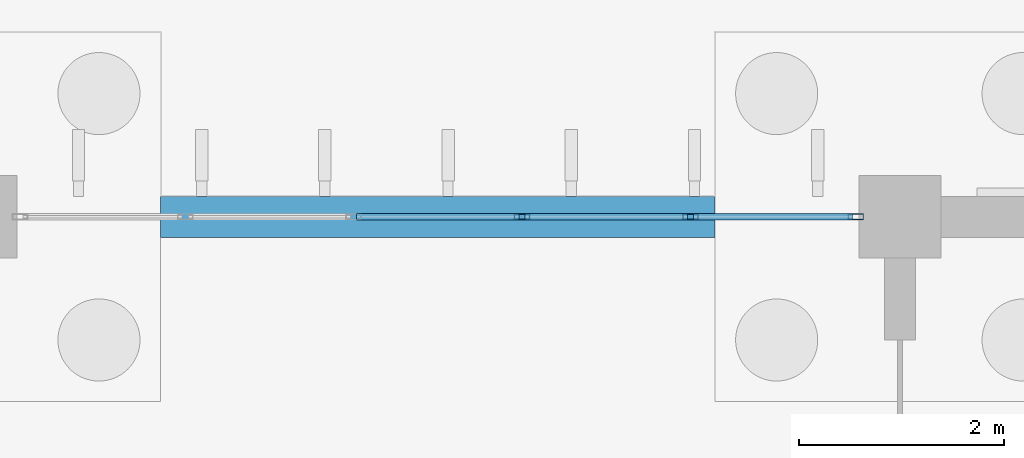
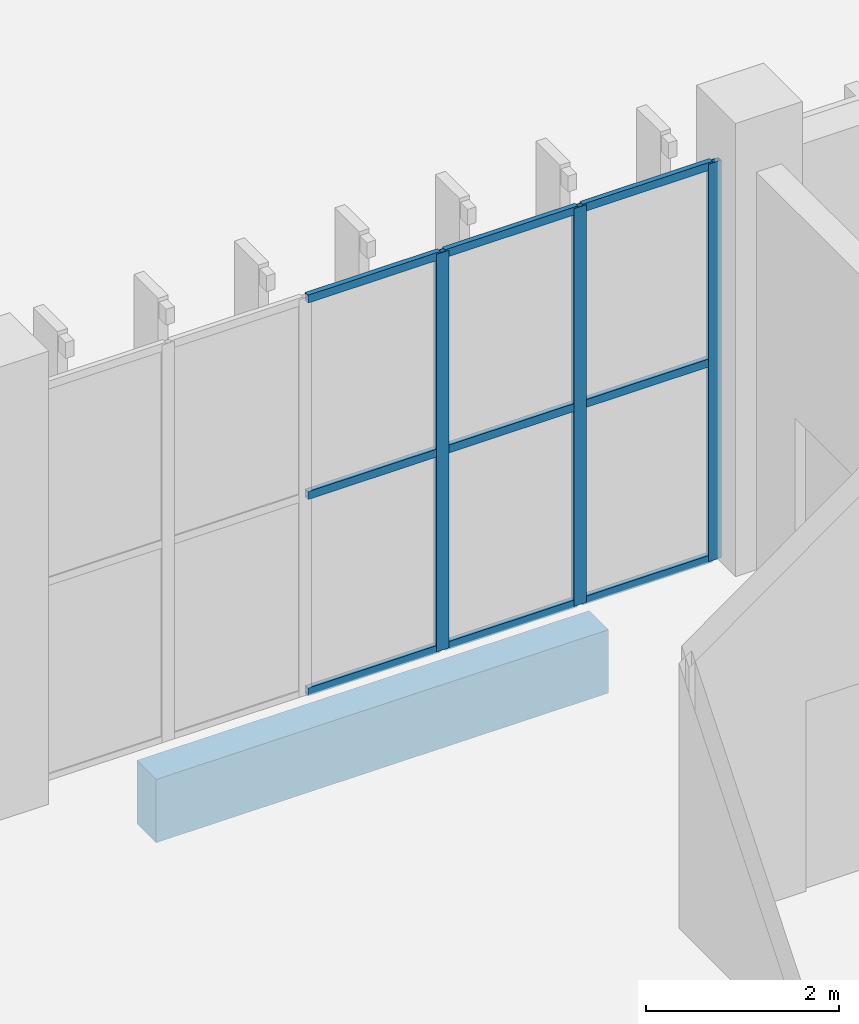
# One storey, part 56 of 198: 12 members, 1 beam, 1 element without a shape of its own.
"""IFC4 building model written with IfcOpenShell, lengths in metres."""

from ifc_helpers import new_model, si_unit, direction, frame, origin, origin_2d, place, context, subcontext, project, spatial, rectangle, hollow_rectangle, extrude, material, layer, layer_set, material_profile, profile_set, type_object, element, aggregate, save


model = new_model("IFC4")

# Units and contexts
model_context = context("Model", 3, precision=1e-05, world=origin(), true_north=direction((0.0, 1.0)))
body_context = subcontext(model_context, "Body", "Model", "MODEL_VIEW")
ifc_project = project(units=[si_unit("LENGTHUNIT", "METRE"), si_unit("AREAUNIT", "SQUARE_METRE"), si_unit("VOLUMEUNIT", "CUBIC_METRE"), si_unit("PLANEANGLEUNIT", "RADIAN"), si_unit("MASSUNIT", "GRAM", prefix="KILO")], contexts=[model_context])

# Site, building, storey
site_placement = place(None, origin())
site = spatial("IfcSite", under=ifc_project, at=site_placement, CompositionType="ELEMENT")
building_placement = place(site_placement, origin())
building = spatial("IfcBuilding", under=site, at=building_placement, Name="Opaline Strait Convention Centre", CompositionType="ELEMENT")
storey_placement = place(building_placement, origin())
storey = spatial("IfcBuildingStorey", under=building, at=storey_placement, Name="L00", CompositionType="ELEMENT", Elevation=0.0)

# Curtain wall, members
ifc_material_1 = material(Name="Aluminium 6063-T5", Category="aluminium")
ifc_layer = layer(ifc_material_1, 0.199951171875)
ifc_layer_set = layer_set([ifc_layer], Name="Aluminium 6063-T5")
curtain_wall_type = type_object("IfcCurtainWallType", Name="Unitised curtain wall 1640 module", PredefinedType="NOTDEFINED", material=ifc_layer_set)
curtain_wall_placement = place(storey_placement, origin())
curtain_wall = element("IfcCurtainWall", 1, at=curtain_wall_placement, inside=storey, type_object=curtain_wall_type, Name="Ballroom north curtain wall L00 bay 6", PredefinedType="NOTDEFINED")
ifc_material_2 = material(Name="Aluminium alloy 6063", Category="aluminium")
ifc_material_profile_1 = material_profile(ifc_material_2, hollow_rectangle(XDim=0.06005859375, YDim=0.14990234375, WallThickness=0.00390625, at=origin_2d()), Name="MULLION 60x150x4")
ifc_profile_set_1 = profile_set([ifc_material_profile_1], Name="Aluminium alloy 6063")
member_type_1 = type_object("IfcMemberType", Name="Curtain wall mullion 60 x 150", PredefinedType="MULLION", material=ifc_profile_set_1)
member_1_placement = place(storey_placement, frame((338.320068359375, 72.0, 0.0), z_axis=(0.0, 0.0, 1.0), x_axis=(0.0, 1.0, 0.0)))
member_1 = element("IfcMember", 2, at=member_1_placement, type_object=member_type_1, Name="BG2 mullion 4", PredefinedType="MULLION", context=body_context, shape_type="SweptSolid", body=[
    extrude(hollow_rectangle(XDim=0.06005859375, YDim=0.14990234375, WallThickness=0.00390625, at=origin_2d()), origin(), (0.0, 0.0, 1.0), 5.02001953125),
])
member_2_placement = place(storey_placement, frame((339.9599609375, 72.0, 0.0), z_axis=(0.0, 0.0, 1.0), x_axis=(0.0, 1.0, 0.0)))
member_2 = element("IfcMember", 3, at=member_2_placement, type_object=member_type_1, Name="BG2 mullion 5", PredefinedType="MULLION", context=body_context, shape_type="SweptSolid", body=[
    extrude(hollow_rectangle(XDim=0.06005859375, YDim=0.14990234375, WallThickness=0.00390625, at=origin_2d()), origin(), (0.0, 0.0, 1.0), 5.02001953125),
])
member_3_placement = place(storey_placement, frame((341.570068359375, 72.0, 0.0), z_axis=(0.0, 0.0, 1.0), x_axis=(0.0, 1.0, 0.0)))
member_3 = element("IfcMember", 4, at=member_3_placement, type_object=member_type_1, Name="BG2 mullion 6", PredefinedType="MULLION", context=body_context, shape_type="SweptSolid", body=[
    extrude(hollow_rectangle(XDim=0.06005859375, YDim=0.14990234375, WallThickness=0.00390625, at=origin_2d()), origin(), (0.0, 0.0, 1.0), 5.02001953125),
])
ifc_material_profile_2 = material_profile(ifc_material_2, hollow_rectangle(XDim=0.06005859375, YDim=0.10009765625, WallThickness=0.0029296875, at=origin_2d()), Name="TRANSOM 60x100x3")
ifc_profile_set_2 = profile_set([ifc_material_profile_2], Name="Aluminium alloy 6063")
member_type_2 = type_object("IfcMemberType", Name="Curtain wall transom 60 x 100", PredefinedType="USERDEFINED", material=ifc_profile_set_2)
member_4_placement = place(storey_placement, frame((336.7099609375, 72.0, 0.030029296875), z_axis=(1.0, 0.0, 0.0), x_axis=(0.0, 1.0, 0.0)))
member_4 = element("IfcMember", 5, at=member_4_placement, type_object=member_type_2, Name="BG2 transom 3.1", ObjectType="TRANSOM", PredefinedType="USERDEFINED", context=body_context, shape_type="SweptSolid", body=[
    extrude(hollow_rectangle(XDim=0.06005859375, YDim=0.10009765625, WallThickness=0.0029296875, at=origin_2d()), origin(), (0.0, 0.0, 1.0), 1.580078125),
])
member_5_placement = place(storey_placement, frame((336.7099609375, 72.0, 2.510009765625), z_axis=(1.0, 0.0, 0.0), x_axis=(0.0, 1.0, 0.0)))
member_5 = element("IfcMember", 6, at=member_5_placement, type_object=member_type_2, Name="BG2 transom 3.2", ObjectType="TRANSOM", PredefinedType="USERDEFINED", context=body_context, shape_type="SweptSolid", body=[
    extrude(hollow_rectangle(XDim=0.06005859375, YDim=0.10009765625, WallThickness=0.0029296875, at=origin_2d()), origin(), (0.0, 0.0, 1.0), 1.580078125),
])
member_6_placement = place(storey_placement, frame((336.7099609375, 72.0, 4.989990234375), z_axis=(1.0, 0.0, 0.0), x_axis=(0.0, 1.0, 0.0)))
member_6 = element("IfcMember", 7, at=member_6_placement, type_object=member_type_2, Name="BG2 transom 3.3", ObjectType="TRANSOM", PredefinedType="USERDEFINED", context=body_context, shape_type="SweptSolid", body=[
    extrude(hollow_rectangle(XDim=0.06005859375, YDim=0.10009765625, WallThickness=0.0029296875, at=origin_2d()), origin(), (0.0, 0.0, 1.0), 1.580078125),
])
member_7_placement = place(storey_placement, frame((338.35009765625, 72.0, 0.030029296875), z_axis=(1.0, 0.0, 0.0), x_axis=(0.0, 1.0, 0.0)))
member_7 = element("IfcMember", 8, at=member_7_placement, type_object=member_type_2, Name="BG2 transom 4.1", ObjectType="TRANSOM", PredefinedType="USERDEFINED", context=body_context, shape_type="SweptSolid", body=[
    extrude(hollow_rectangle(XDim=0.06005859375, YDim=0.10009765625, WallThickness=0.0029296875, at=origin_2d()), origin(), (0.0, 0.0, 1.0), 1.580078125),
])
member_8_placement = place(storey_placement, frame((338.35009765625, 72.0, 2.510009765625), z_axis=(1.0, 0.0, 0.0), x_axis=(0.0, 1.0, 0.0)))
member_8 = element("IfcMember", 9, at=member_8_placement, type_object=member_type_2, Name="BG2 transom 4.2", ObjectType="TRANSOM", PredefinedType="USERDEFINED", context=body_context, shape_type="SweptSolid", body=[
    extrude(hollow_rectangle(XDim=0.06005859375, YDim=0.10009765625, WallThickness=0.0029296875, at=origin_2d()), origin(), (0.0, 0.0, 1.0), 1.580078125),
])
member_9_placement = place(storey_placement, frame((338.35009765625, 72.0, 4.989990234375), z_axis=(1.0, 0.0, 0.0), x_axis=(0.0, 1.0, 0.0)))
member_9 = element("IfcMember", 10, at=member_9_placement, type_object=member_type_2, Name="BG2 transom 4.3", ObjectType="TRANSOM", PredefinedType="USERDEFINED", context=body_context, shape_type="SweptSolid", body=[
    extrude(hollow_rectangle(XDim=0.06005859375, YDim=0.10009765625, WallThickness=0.0029296875, at=origin_2d()), origin(), (0.0, 0.0, 1.0), 1.580078125),
])
member_10_placement = place(storey_placement, frame((339.989990234375, 72.0, 0.030029296875), z_axis=(1.0, 0.0, 0.0), x_axis=(0.0, 1.0, 0.0)))
member_10 = element("IfcMember", 11, at=member_10_placement, type_object=member_type_2, Name="BG2 transom 5.1", ObjectType="TRANSOM", PredefinedType="USERDEFINED", context=body_context, shape_type="SweptSolid", body=[
    extrude(hollow_rectangle(XDim=0.06005859375, YDim=0.10009765625, WallThickness=0.0029296875, at=origin_2d()), origin(), (0.0, 0.0, 1.0), 1.550048828125),
])
member_11_placement = place(storey_placement, frame((339.989990234375, 72.0, 2.510009765625), z_axis=(1.0, 0.0, 0.0), x_axis=(0.0, 1.0, 0.0)))
member_11 = element("IfcMember", 12, at=member_11_placement, type_object=member_type_2, Name="BG2 transom 5.2", ObjectType="TRANSOM", PredefinedType="USERDEFINED", context=body_context, shape_type="SweptSolid", body=[
    extrude(hollow_rectangle(XDim=0.06005859375, YDim=0.10009765625, WallThickness=0.0029296875, at=origin_2d()), origin(), (0.0, 0.0, 1.0), 1.550048828125),
])
member_12_placement = place(storey_placement, frame((339.989990234375, 72.0, 4.989990234375), z_axis=(1.0, 0.0, 0.0), x_axis=(0.0, 1.0, 0.0)))
member_12 = element("IfcMember", 13, at=member_12_placement, type_object=member_type_2, Name="BG2 transom 5.3", ObjectType="TRANSOM", PredefinedType="USERDEFINED", context=body_context, shape_type="SweptSolid", body=[
    extrude(hollow_rectangle(XDim=0.06005859375, YDim=0.10009765625, WallThickness=0.0029296875, at=origin_2d()), origin(), (0.0, 0.0, 1.0), 1.550048828125),
])
aggregate(curtain_wall, [member_1, member_2, member_3, member_4, member_5, member_6, member_7, member_8, member_9, member_10, member_11, member_12])

# Beam
ifc_material_3 = material(Name="Concrete C35", Category="concrete")
ifc_material_profile_3 = material_profile(ifc_material_3, rectangle(XDim=0.39990234375, YDim=0.800048828125, at=origin_2d()), Name="RC 400x800")
ifc_profile_set_3 = profile_set([ifc_material_profile_3], Name="Concrete C35")
beam_type = type_object("IfcBeamType", Name="Ground beam 400x800 C35", PredefinedType="BEAM", material=ifc_profile_set_3)
beam_placement = place(storey_placement, frame((334.800048828125, 72.0, -0.699951171875), z_axis=(1.0, 0.0, 0.0), x_axis=(0.0, 1.0, 0.0)))
element("IfcBeam", 14, at=beam_placement, inside=storey, type_object=beam_type, Name="BG1 ground beam 38/J-39/J", PredefinedType="BEAM", context=body_context, shape_type="SweptSolid", body=[
    extrude(rectangle(XDim=0.39990234375, YDim=0.800048828125, at=origin_2d()), origin(), (0.0, 0.0, 1.0), 5.39990234375),
])

save(model, "model.ifc")
